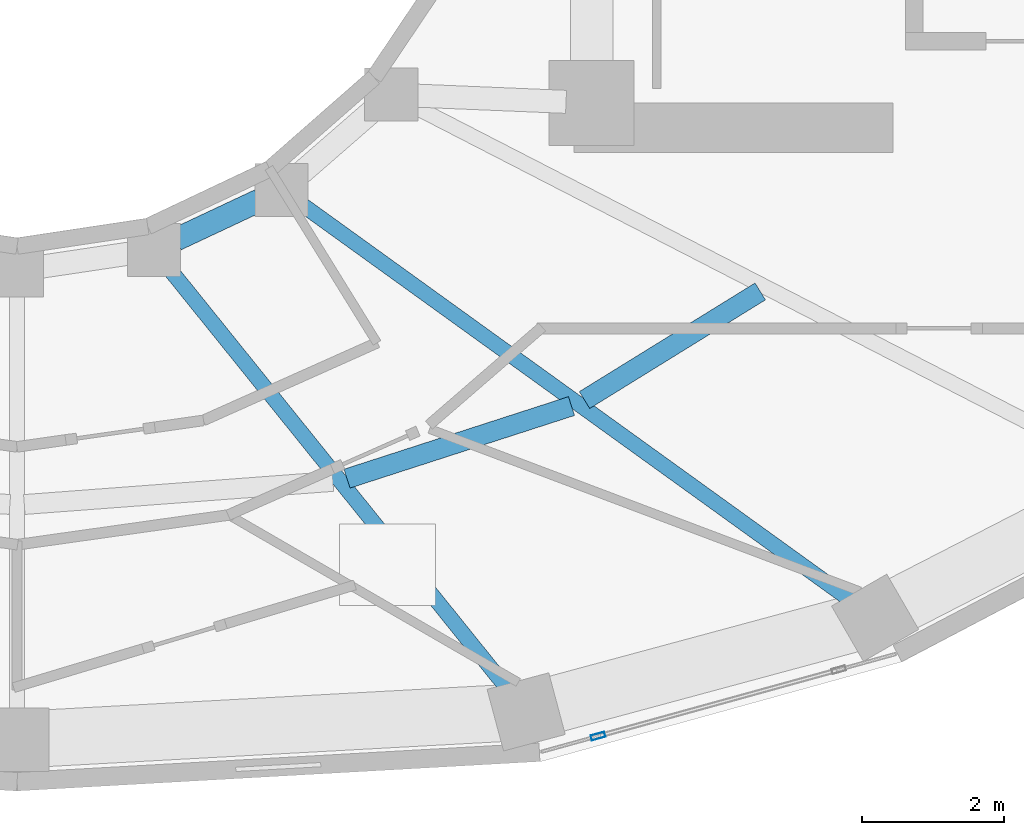
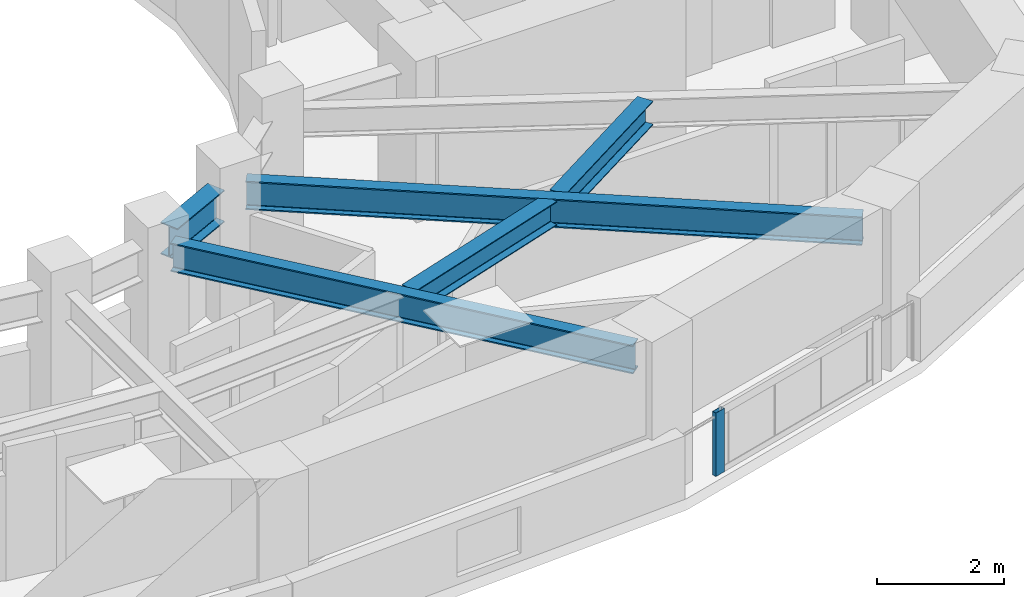
# One storey, part 4 of 20: 5 beams, 1 member, 1 element without a shape of its own.
"""IFC4 building model written with IfcOpenShell, lengths in metres."""

from ifc_helpers import new_model, si_unit, direction, frame, origin, origin_2d, place, context, subcontext, project, spatial, hollow_rectangle, i_section, extrude, material, layer, layer_set, material_profile, profile_set, type_object, element, aggregate, save


model = new_model("IFC4")

# Units and contexts
model_context = context("Model", 3, precision=1e-05, world=origin(), true_north=direction((0.0, 1.0)))
body_context = subcontext(model_context, "Body", "Model", "MODEL_VIEW")
ifc_project = project(units=[si_unit("LENGTHUNIT", "METRE"), si_unit("AREAUNIT", "SQUARE_METRE"), si_unit("VOLUMEUNIT", "CUBIC_METRE"), si_unit("PLANEANGLEUNIT", "RADIAN"), si_unit("MASSUNIT", "GRAM", prefix="KILO")], contexts=[model_context])

# Site, building, storey
site_placement = place(None, origin())
site = spatial("IfcSite", under=ifc_project, at=site_placement, CompositionType="ELEMENT")
building_placement = place(site_placement, origin())
building = spatial("IfcBuilding", under=site, at=building_placement, Name="Solvane Sanctuary Tower", CompositionType="ELEMENT")
storey_placement = place(building_placement, frame((0.0, 0.0, 159.10009765625)))
storey = spatial("IfcBuildingStorey", under=building, at=storey_placement, Name="L48", CompositionType="ELEMENT", Elevation=159.10009765625)

# Beams
ifc_material_1 = material(Name="Steel ASTM A992 Grade 50", Category="steel")
ifc_material_profile_1 = material_profile(ifc_material_1, i_section(OverallWidth=0.214111328125, OverallDepth=0.549072265625, WebThickness=0.0146484375, FlangeThickness=0.023681640625, FilletRadius=0.014892578125, at=origin_2d()), Name="W21X93")
ifc_profile_set_1 = profile_set([ifc_material_profile_1], Name="Steel ASTM A992 Grade 50")
beam_type_1 = type_object("IfcBeamType", Name="Beam B-RAD-Z3 W21X93", PredefinedType="JOIST", material=ifc_profile_set_1)
beam_1_placement = place(storey_placement, frame((34.1064453125, 14.610107421875, 2.323486328125), z_axis=(0.627296867999, -0.778780225352, 0.0), x_axis=(0.778780225352, 0.627296867999, 0.0)))
element("IfcBeam", 1, at=beam_1_placement, inside=storey, type_object=beam_type_1, Name="L48 Radial Composite Floor Beam 12", PredefinedType="JOIST", context=body_context, shape_type="SweptSolid", body=[
    extrude(i_section(OverallWidth=0.214111328125, OverallDepth=0.549072265625, WebThickness=0.0146484375, FlangeThickness=0.023681640625, FilletRadius=0.014892578125, at=origin_2d()), origin(), (0.0, 0.0, 1.0), 7.805419921875),
])
beam_2_placement = place(storey_placement, frame((35.95703125, 15.509765625, 2.323486328125), z_axis=(0.811184384633, -0.584790470277, 0.0), x_axis=(0.584790470277, 0.811184384633, 0.0)))
element("IfcBeam", 2, at=beam_2_placement, inside=storey, type_object=beam_type_1, Name="L48 Radial Composite Floor Beam 13", PredefinedType="JOIST", context=body_context, shape_type="SweptSolid", body=[
    extrude(i_section(OverallWidth=0.214111328125, OverallDepth=0.549072265625, WebThickness=0.0146484375, FlangeThickness=0.023681640625, FilletRadius=0.014892578125, at=origin_2d()), origin(), (0.0, 0.0, 1.0), 9.756103515625),
])
ifc_material_profile_2 = material_profile(ifc_material_1, i_section(OverallWidth=0.324951171875, OverallDepth=0.615966796875, WebThickness=0.013916015625, FlangeThickness=0.021484375, FilletRadius=0.01611328125, at=origin_2d()), Name="W24X117")
ifc_profile_set_2 = profile_set([ifc_material_profile_2], Name="Steel ASTM A992 Grade 50")
beam_type_2 = type_object("IfcBeamType", Name="Beam B-RING-IN2 W24X117", PredefinedType="BEAM", material=ifc_profile_set_2)
beam_3_placement = place(storey_placement, frame((34.2431640625, 14.97509765625, 2.289794921875), z_axis=(0.9051808128, 0.425026700502, 0.0), x_axis=(-0.425026700502, 0.9051808128, 0.0)))
element("IfcBeam", 3, at=beam_3_placement, inside=storey, type_object=beam_type_2, Name="L48 Inner Light-Well Ring Beam IC12-IC13", PredefinedType="BEAM", context=body_context, shape_type="SweptSolid", body=[
    extrude(i_section(OverallWidth=0.324951171875, OverallDepth=0.615966796875, WebThickness=0.013916015625, FlangeThickness=0.021484375, FilletRadius=0.01611328125, at=origin_2d()), origin(), (0.0, 0.0, 1.0), 1.297607421875),
])
ifc_material_profile_3 = material_profile(ifc_material_1, i_section(OverallWidth=0.280029296875, OverallDepth=0.462890625, WebThickness=0.0107421875, FlangeThickness=0.017333984375, FilletRadius=0.013916015625, at=origin_2d()), Name="W18X76")
ifc_profile_set_3 = profile_set([ifc_material_profile_3], Name="Steel ASTM A992 Grade 50")
beam_type_3 = type_object("IfcBeamType", Name="Beam B-SEC-JOIST W18X76", PredefinedType="JOIST", material=ifc_profile_set_3)
beam_4_placement = place(storey_placement, frame((36.651611328125, 11.602294921875, 2.366455078125), z_axis=(0.951499502658, 0.307650282695, 0.0), x_axis=(-0.307650282695, 0.951499502658, 0.0)))
element("IfcBeam", 4, at=beam_4_placement, inside=storey, type_object=beam_type_3, Name="L48 Secondary Circumferential Joist 12-13", PredefinedType="JOIST", context=body_context, shape_type="SweptSolid", body=[
    extrude(i_section(OverallWidth=0.280029296875, OverallDepth=0.462890625, WebThickness=0.0107421875, FlangeThickness=0.017333984375, FilletRadius=0.013916015625, at=origin_2d()), origin(), (0.0, 0.0, 1.0), 3.32666015625),
])
beam_5_placement = place(storey_placement, frame((40.0009765625, 12.710693359375, 2.366455078125), z_axis=(0.850652494422, 0.525728383991, 0.0), x_axis=(-0.525728383991, 0.850652494422, 0.0)))
element("IfcBeam", 5, at=beam_5_placement, inside=storey, type_object=beam_type_3, Name="L48 Secondary Circumferential Joist 13-14", PredefinedType="JOIST", context=body_context, shape_type="SweptSolid", body=[
    extrude(i_section(OverallWidth=0.280029296875, OverallDepth=0.462890625, WebThickness=0.0107421875, FlangeThickness=0.017333984375, FilletRadius=0.013916015625, at=origin_2d()), origin(), (0.0, 0.0, 1.0), 2.9130859375),
])

# Curtain wall, member
ifc_material_2 = material(Name="Anodised Aluminium 6063-T6", Category="aluminium")
ifc_layer = layer(ifc_material_2, 0.179931640625, Name="Anodised Aluminium 6063-T6")
ifc_layer_set = layer_set([ifc_layer], Name="Anodised Aluminium 6063-T6")
curtain_wall_type = type_object("IfcCurtainWallType", Name="Curtain Wall CW-FRIT-Z2", PredefinedType="NOTDEFINED", material=ifc_layer_set)
curtain_wall_placement = place(storey_placement, origin())
curtain_wall = element("IfcCurtainWall", 6, at=curtain_wall_placement, inside=storey, type_object=curtain_wall_type, Name="L48 CW-FRIT-Z2 Facade Run 19", PredefinedType="NOTDEFINED")
ifc_material_profile_4 = material_profile(ifc_material_2, hollow_rectangle(XDim=0.074951171875, YDim=0.199951171875, WallThickness=0.00390625, at=origin_2d()), Name="ALU200X75X4")
ifc_profile_set_4 = profile_set([ifc_material_profile_4], Name="Anodised Aluminium 6063-T6")
member_type = type_object("IfcMemberType", Name="Member M-CW-MUL-1 ALU200X75X4", PredefinedType="MULLION", material=ifc_profile_set_4)
member_placement = place(storey_placement, frame((40.191650390625, 7.9716796875, 0.0), z_axis=(0.0, 0.0, 1.0), x_axis=(-0.266021653965, 0.963967053183, 0.0)))
member = element("IfcMember", 7, at=member_placement, type_object=member_type, Name="CW-FRIT-Z2 mullion 1", PredefinedType="MULLION", context=body_context, shape_type="SweptSolid", body=[
    extrude(hollow_rectangle(XDim=0.074951171875, YDim=0.199951171875, WallThickness=0.00390625, at=origin_2d()), origin(), (0.0, 0.0, 1.0), 1.219970703125),
])
aggregate(curtain_wall, [member])

save(model, "model.ifc")
